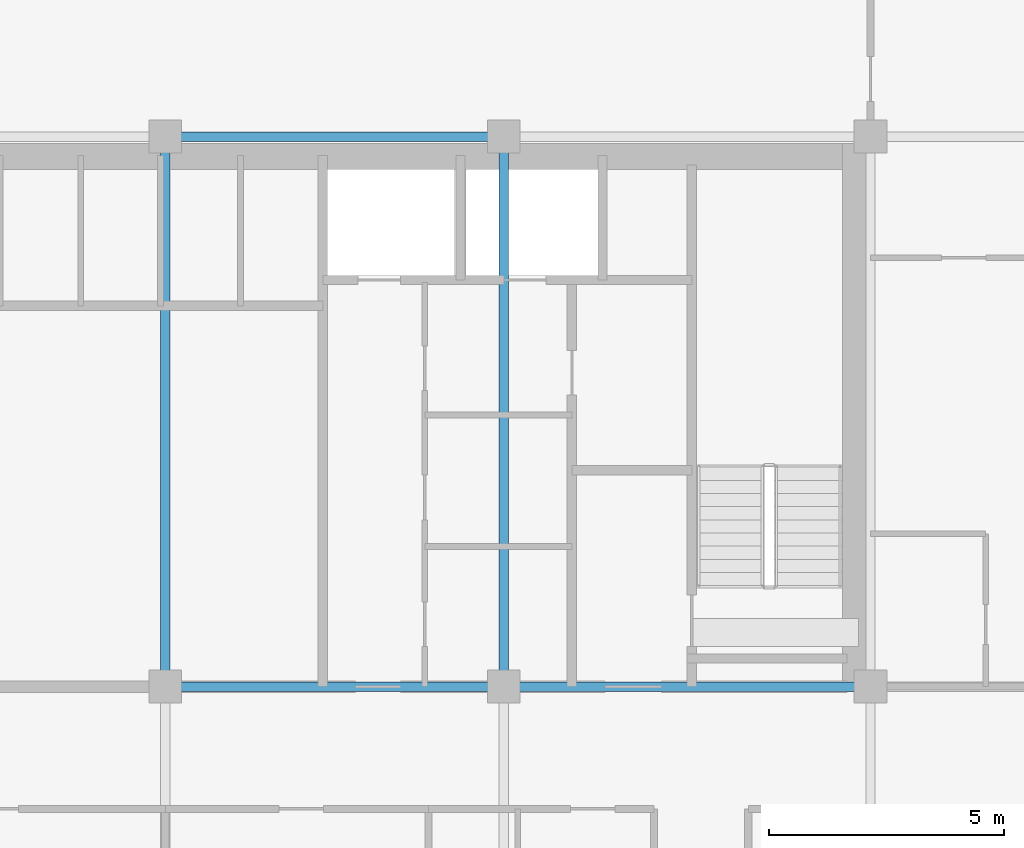
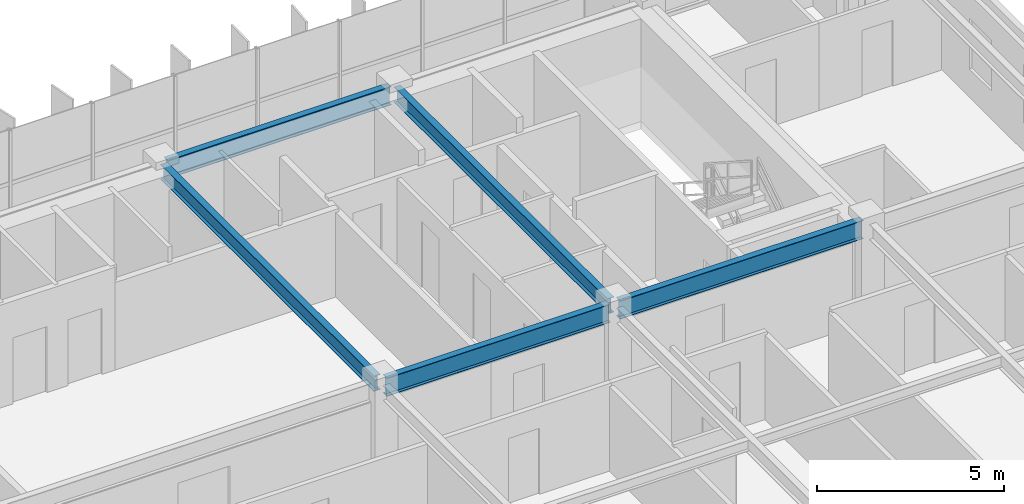
# One storey, part 8 of 21: 5 beams.
"""IFC4 building model written with IfcOpenShell, lengths in metres."""

from ifc_helpers import new_model, si_unit, direction, frame, origin, origin_2d, place, context, subcontext, project, spatial, i_section, extrude, source, transform, mapped, material, material_profile, profile_set, type_object, element, save


model = new_model("IFC4")

# Units and contexts
model_context = context("Model", 3, precision=1e-05, world=origin(), true_north=direction((0.0, 1.0)))
body_context = subcontext(model_context, "Body", "Model", "MODEL_VIEW")
ifc_project = project(units=[si_unit("LENGTHUNIT", "METRE"), si_unit("AREAUNIT", "SQUARE_METRE"), si_unit("VOLUMEUNIT", "CUBIC_METRE"), si_unit("PLANEANGLEUNIT", "RADIAN"), si_unit("MASSUNIT", "GRAM", prefix="KILO")], contexts=[model_context])

# Site, building, storey
site_placement = place(None, origin())
site = spatial("IfcSite", under=ifc_project, at=site_placement, CompositionType="ELEMENT")
building_placement = place(site_placement, origin())
building = spatial("IfcBuilding", under=site, at=building_placement, Name="Trelvane Seafront Commons", CompositionType="ELEMENT")
storey_placement = place(building_placement, frame((0.0, 0.0, 153.699951171875)))
storey = spatial("IfcBuildingStorey", under=building, at=storey_placement, Name="L40", CompositionType="ELEMENT", Elevation=153.699951171875)

# Beams
ifc_material = material(Name="Steel SM355 (S355)", Category="steel")
ifc_material_profile_1 = material_profile(ifc_material, i_section(OverallWidth=0.199951171875, OverallDepth=0.5, WebThickness=0.010009765625, FlangeThickness=0.01611328125, at=origin_2d()), Name="H-500x200x10x16")
ifc_profile_set_1 = profile_set([ifc_material_profile_1], Name="Steel SM355 (S355)")
beam_type_1 = type_object("IfcBeamType", Name="STR-BM-H500", PredefinedType="BEAM", material=ifc_profile_set_1)
shared_shape_1 = source(origin(), body_context, "Body", "SweptSolid", [
    extrude(i_section(OverallWidth=0.199951171875, OverallDepth=0.5, WebThickness=0.010009765625, FlangeThickness=0.01611328125, at=origin_2d()), origin(), (0.0, 0.0, 1.0), 11.39990234375),
])
for number, where, z_axis, x_axis, name in (
    (1, (43.800048828125, 33.550048828125, 3.10009765625), (0.0, 1.0, 0.0), (-1.0, 0.0, 0.0), "L40 Primary Girder G-43"),
    (2, (51.0, 33.550048828125, 3.10009765625), (0.0, 1.0, 0.0), (-1.0, 0.0, 0.0), "L40 Primary Girder G-46"),
):
    element("IfcBeam", number, at=place(storey_placement, frame(where, z_axis=z_axis, x_axis=x_axis)), inside=storey, type_object=beam_type_1, Name=name, PredefinedType="BEAM", context=body_context, shape_type="MappedRepresentation", body=[
        mapped(shared_shape_1, transform((0.0, 0.0, 0.0), x_axis=(1.0, 0.0, 0.0), y_axis=(0.0, 1.0, 0.0), z_axis=(0.0, 0.0, 1.0), scale=1.0)),
    ])
ifc_material_profile_2 = material_profile(ifc_material, i_section(OverallWidth=0.199951171875, OverallDepth=0.60009765625, WebThickness=0.010986328125, FlangeThickness=0.01708984375, at=origin_2d()), Name="H-600x200x11x17")
ifc_profile_set_2 = profile_set([ifc_material_profile_2], Name="Steel SM355 (S355)")
beam_type_2 = type_object("IfcBeamType", Name="STR-SPD-H600", PredefinedType="SPANDREL", material=ifc_profile_set_2)
shared_shape_2 = source(origin(), body_context, "Body", "SweptSolid", [
    extrude(i_section(OverallWidth=0.199951171875, OverallDepth=0.60009765625, WebThickness=0.010986328125, FlangeThickness=0.01708984375, at=origin_2d()), origin(), (0.0, 0.0, 1.0), 7.5),
])
beam_placement = place(storey_placement, frame((51.14990234375, 33.39990234375, 3.050048828125), z_axis=(1.0, 0.0, 0.0), x_axis=(0.0, 1.0, 0.0)))
element("IfcBeam", 3, at=beam_placement, inside=storey, type_object=beam_type_2, Name="L40 Primary Girder G-20", PredefinedType="SPANDREL", context=body_context, shape_type="MappedRepresentation", body=[
    mapped(shared_shape_2, transform((0.0, 0.0, 0.0), x_axis=(1.0, 0.0, 0.0), y_axis=(0.0, 1.0, 0.0), z_axis=(0.0, 0.0, 1.0), scale=1.0)),
])
shared_shape_3 = source(origin(), body_context, "Body", "SweptSolid", [
    extrude(i_section(OverallWidth=0.199951171875, OverallDepth=0.60009765625, WebThickness=0.010986328125, FlangeThickness=0.01708984375, at=origin_2d()), origin(), (0.0, 0.0, 1.0), 6.900146484375),
])
for number, where, z_axis, x_axis, name in (
    (4, (43.949951171875, 33.39990234375, 3.050048828125), (1.0, 0.0, 0.0), (0.0, 1.0, 0.0), "L40 Primary Girder G-19"),
    (5, (43.949951171875, 45.10009765625, 3.050048828125), (1.0, 0.0, 0.0), (0.0, 1.0, 0.0), "L40 Primary Girder G-26"),
):
    element("IfcBeam", number, at=place(storey_placement, frame(where, z_axis=z_axis, x_axis=x_axis)), inside=storey, type_object=beam_type_2, Name=name, PredefinedType="SPANDREL", context=body_context, shape_type="MappedRepresentation", body=[
        mapped(shared_shape_3, transform((0.0, 0.0, 0.0), x_axis=(1.0, 0.0, 0.0), y_axis=(0.0, 1.0, 0.0), z_axis=(0.0, 0.0, 1.0), scale=1.0)),
    ])

save(model, "model.ifc")
